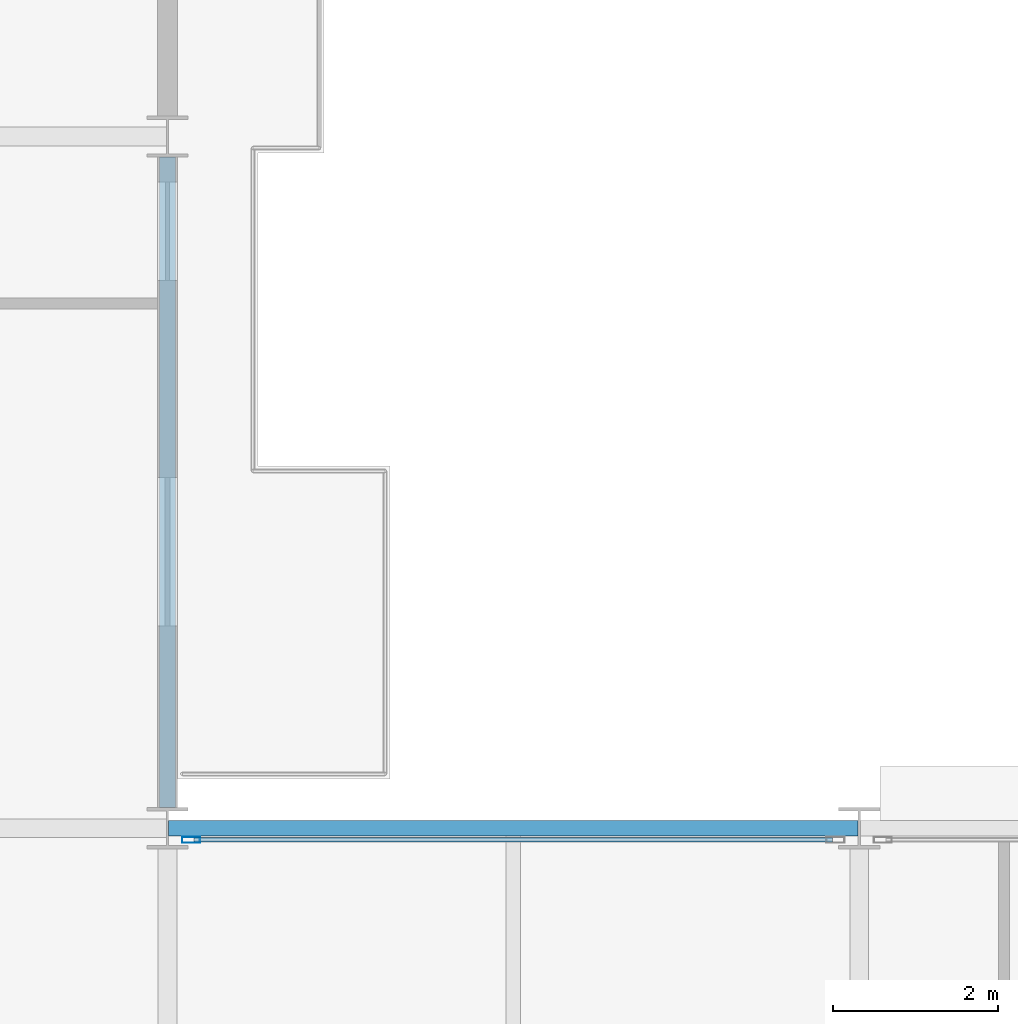
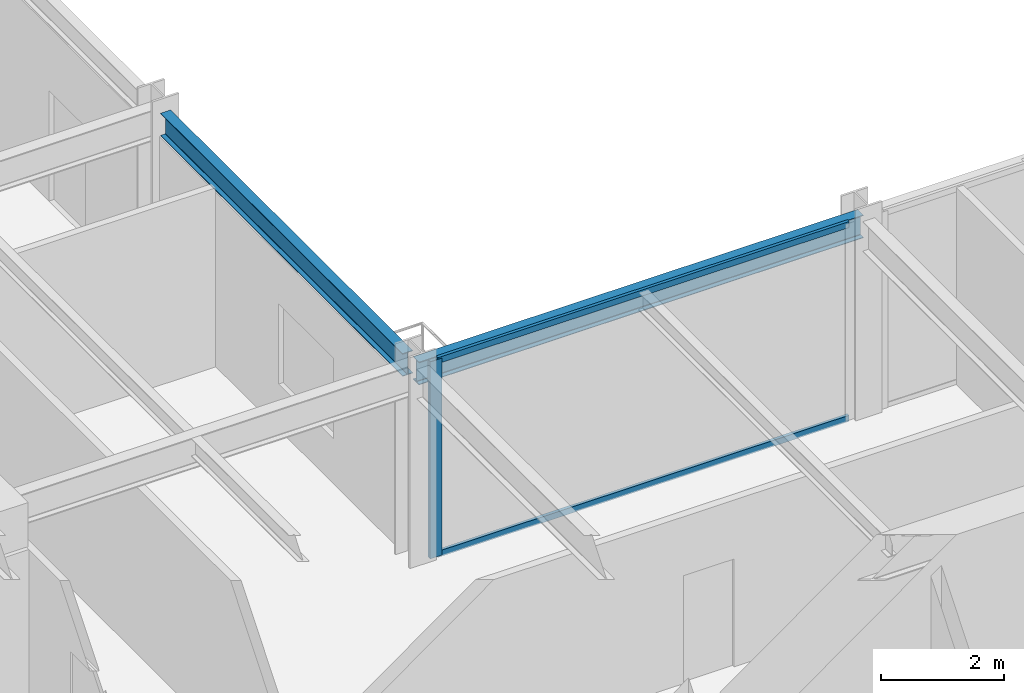
# One storey, part 8 of 25: 3 members, 2 beams, 1 element without a shape of its own.
"""IFC4 building model written with IfcOpenShell, lengths in metres."""

from ifc_helpers import new_model, si_unit, direction, frame, origin, origin_2d, place, context, subcontext, project, spatial, hollow_rectangle, i_section, extrude, material, layer, layer_set, material_profile, profile_set, type_object, element, aggregate, save


model = new_model("IFC4")

# Units and contexts
model_context = context("Model", 3, precision=1e-05, world=origin(), true_north=direction((0.0, 1.0)))
body_context = subcontext(model_context, "Body", "Model", "MODEL_VIEW")
ifc_project = project(units=[si_unit("LENGTHUNIT", "METRE"), si_unit("AREAUNIT", "SQUARE_METRE"), si_unit("VOLUMEUNIT", "CUBIC_METRE"), si_unit("PLANEANGLEUNIT", "RADIAN"), si_unit("MASSUNIT", "GRAM", prefix="KILO")], contexts=[model_context])

# Site, building, storey
site_placement = place(None, origin())
site = spatial("IfcSite", under=ifc_project, at=site_placement, CompositionType="ELEMENT")
building_placement = place(site_placement, origin())
building = spatial("IfcBuilding", under=site, at=building_placement, Name="Nerrivon Quay Data Exchange", CompositionType="ELEMENT")
storey_placement = place(building_placement, frame((0.0, 0.0, 24.800048828125)))
storey = spatial("IfcBuildingStorey", under=building, at=storey_placement, Name="L05", CompositionType="ELEMENT", Elevation=24.800048828125)

# Beams
ifc_material_1 = material(Name="Steel Grade 350", Category="steel")
ifc_material_profile_1 = material_profile(ifc_material_1, i_section(OverallWidth=0.18994140625, OverallDepth=0.4541015625, WebThickness=0.008544921875, FlangeThickness=0.0126953125, FilletRadius=0.011474609375, at=origin_2d()), Name="460UB67.1")
ifc_profile_set_1 = profile_set([ifc_material_profile_1], Name="Steel Grade 350")
beam_type = type_object("IfcBeamType", Name="BM-SP1-460UB67", PredefinedType="SPANDREL", material=ifc_profile_set_1)
beam_1_placement = place(storey_placement, frame((25.214111328125, 25.199951171875, 3.697998046875), z_axis=(1.0, 0.0, 0.0), x_axis=(0.0, 1.0, 0.0)))
element("IfcBeam", 1, at=beam_1_placement, inside=storey, type_object=beam_type, Name="L05 EW Girder Y=25.2 (25.2..33.6)", PredefinedType="SPANDREL", context=body_context, shape_type="SweptSolid", body=[
    extrude(i_section(OverallWidth=0.18994140625, OverallDepth=0.4541015625, WebThickness=0.008544921875, FlangeThickness=0.0126953125, FilletRadius=0.011474609375, at=origin_2d()), origin(), (0.0, 0.0, 1.0), 8.371826171875),
])
beam_2_placement = place(storey_placement, frame((25.199951171875, 25.449951171875, 3.697998046875), z_axis=(0.0, 1.0, 0.0), x_axis=(-1.0, 0.0, 0.0)))
element("IfcBeam", 2, at=beam_2_placement, inside=storey, type_object=beam_type, Name="L05 NS Girder X=25.2 (25.2..33.6)", PredefinedType="SPANDREL", context=body_context, shape_type="SweptSolid", body=[
    extrude(i_section(OverallWidth=0.18994140625, OverallDepth=0.4541015625, WebThickness=0.008544921875, FlangeThickness=0.0126953125, FilletRadius=0.011474609375, at=origin_2d()), origin(), (0.0, 0.0, 1.0), 7.900146484375),
])

# Curtain wall, members
ifc_material_2 = material(Name="Anodised aluminium 6063-T6", Category="aluminium")
ifc_layer = layer(ifc_material_2, 0.219970703125)
ifc_layer_set = layer_set([ifc_layer], Name="Anodised aluminium 6063-T6")
curtain_wall_type = type_object("IfcCurtainWallType", Name="CW-SYS-01", PredefinedType="NOTDEFINED", material=ifc_layer_set)
curtain_wall_placement = place(storey_placement, origin())
curtain_wall = element("IfcCurtainWall", 3, at=curtain_wall_placement, inside=storey, type_object=curtain_wall_type, Name="L05 Unitised Curtain Wall 28", PredefinedType="NOTDEFINED")
ifc_material_profile_2 = material_profile(ifc_material_2, hollow_rectangle(XDim=0.074951171875, YDim=0.219970703125, WallThickness=0.00390625, at=origin_2d()), Name="ALU-MULL-220x75")
ifc_profile_set_2 = profile_set([ifc_material_profile_2], Name="Anodised aluminium 6063-T6")
member_type_1 = type_object("IfcMemberType", Name="CWM-220x75", PredefinedType="MULLION", material=ifc_profile_set_2)
member_1_placement = place(storey_placement, frame((25.487548828125, 25.06005859375, 0.0), z_axis=(0.0, 0.0, 1.0), x_axis=(0.0, 1.0, 0.0)))
member_1 = element("IfcMember", 4, at=member_1_placement, type_object=member_type_1, Name="CW01 mullion 1", PredefinedType="MULLION", context=body_context, shape_type="SweptSolid", body=[
    extrude(hollow_rectangle(XDim=0.074951171875, YDim=0.219970703125, WallThickness=0.00390625, at=origin_2d()), origin(), (0.0, 0.0, 1.0), 3.925048828125),
])
ifc_material_profile_3 = material_profile(ifc_material_2, hollow_rectangle(XDim=0.06005859375, YDim=0.1201171875, WallThickness=0.003173828125, at=origin_2d()), Name="ALU-TRAN-120x60")
ifc_profile_set_3 = profile_set([ifc_material_profile_3], Name="Anodised aluminium 6063-T6")
member_type_2 = type_object("IfcMemberType", Name="CWT-120x60", PredefinedType="USERDEFINED", material=ifc_profile_set_3)
member_2_placement = place(storey_placement, frame((25.52490234375, 25.06005859375, 0.032470703125), z_axis=(1.0, 0.0, 0.0), x_axis=(0.0, 1.0, 0.0)))
member_2 = element("IfcMember", 5, at=member_2_placement, type_object=member_type_2, Name="CW01 transom 1.1", ObjectType="TRANSOM", PredefinedType="USERDEFINED", context=body_context, shape_type="SweptSolid", body=[
    extrude(hollow_rectangle(XDim=0.06005859375, YDim=0.1201171875, WallThickness=0.003173828125, at=origin_2d()), origin(), (0.0, 0.0, 1.0), 7.75),
])
member_3_placement = place(storey_placement, frame((25.52490234375, 25.06005859375, 3.892333984375), z_axis=(1.0, 0.0, 0.0), x_axis=(0.0, 1.0, 0.0)))
member_3 = element("IfcMember", 6, at=member_3_placement, type_object=member_type_2, Name="CW01 transom 1.2", ObjectType="TRANSOM", PredefinedType="USERDEFINED", context=body_context, shape_type="SweptSolid", body=[
    extrude(hollow_rectangle(XDim=0.06005859375, YDim=0.1201171875, WallThickness=0.003173828125, at=origin_2d()), origin(), (0.0, 0.0, 1.0), 7.75),
])
aggregate(curtain_wall, [member_1, member_2, member_3])

save(model, "model.ifc")
